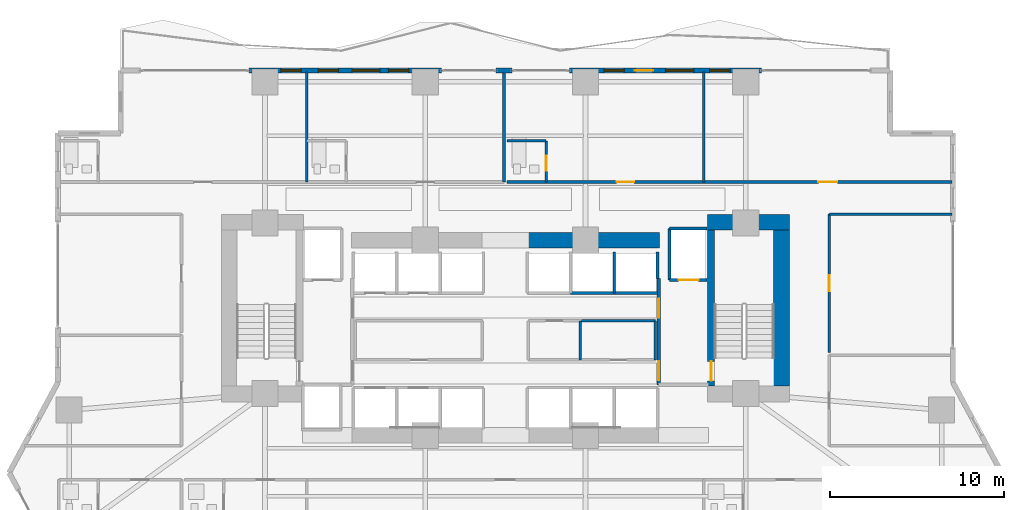
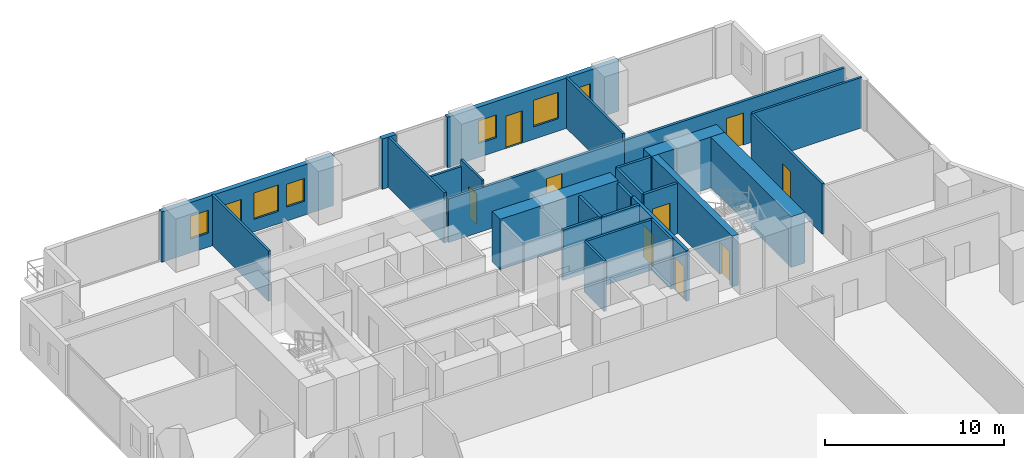
# One storey, part 22 of 28: 27 walls, 9 doors, 7 windows, 16 openings.
"""IFC4 building model written with IfcOpenShell, lengths in metres."""

from ifc_helpers import new_model, si_unit, direction, frame, frame_2d, origin, place, context, subcontext, project, spatial, rectangle, extrude, material, layer, layer_set, type_object, element, fill, save


model = new_model("IFC4")

# Units and contexts
model_context = context("Model", 3, precision=1e-05, world=origin(), true_north=direction((0.0, 1.0)))
body_context = subcontext(model_context, "Body", "Model", "MODEL_VIEW")
ifc_project = project(units=[si_unit("LENGTHUNIT", "METRE"), si_unit("AREAUNIT", "SQUARE_METRE"), si_unit("VOLUMEUNIT", "CUBIC_METRE"), si_unit("PLANEANGLEUNIT", "RADIAN"), si_unit("MASSUNIT", "GRAM", prefix="KILO")], contexts=[model_context])

# Site, building, storey
site_placement = place(None, origin())
site = spatial("IfcSite", under=ifc_project, at=site_placement, CompositionType="ELEMENT")
building_placement = place(site_placement, origin())
building = spatial("IfcBuilding", under=site, at=building_placement, Name="Zuhayl Quay Hotel", CompositionType="ELEMENT")
storey_placement = place(building_placement, frame((0.0, 0.0, 75.050048828125)))
storey = spatial("IfcBuildingStorey", under=building, at=storey_placement, Name="L18", CompositionType="ELEMENT", Elevation=75.050048828125)

# Walls
ifc_material_1 = material(Name="Concrete C70/85", Category="concrete")
ifc_layer_1 = layer(ifc_material_1, 0.89990234375, Name="Concrete C70/85", Category="concrete")
ifc_layer_set_1 = layer_set([ifc_layer_1], Name="Concrete C70/85")
wall_type_1 = type_object("IfcWallType", Name="WL_CORE_900", PredefinedType="SHEAR", material=ifc_layer_set_1)
wall_1_placement = place(storey_placement, frame((11.60009765625, 14.3798828125, 0.0), z_axis=(0.0, 0.0, 1.0), x_axis=(1.0, 0.0, 0.0)))
element("IfcWall", 1, at=wall_1_placement, inside=storey, type_object=wall_type_1, Name="L18 Core Shear Wall CW_NE", PredefinedType="SHEAR", context=body_context, shape_type="SweptSolid", body=[
    extrude(rectangle(XDim=4.7099609375, YDim=0.89990234375, at=frame_2d((2.35498046875, 0.0))), origin(), (0.0, 0.0, 1.0), 3.4599609375),
])
wall_2_placement = place(storey_placement, frame((15.860107421875, 4.969970703125, 0.0), z_axis=(0.0, 0.0, 1.0), x_axis=(0.0, 1.0, 0.0)))
element("IfcWall", 2, at=wall_2_placement, inside=storey, type_object=wall_type_1, Name="L18 Core Shear Wall CW_E", PredefinedType="SHEAR", context=body_context, shape_type="SweptSolid", body=[
    extrude(rectangle(XDim=8.9599609375, YDim=0.89990234375, at=frame_2d((4.47998046875, 0.0))), origin(), (0.0, 0.0, 1.0), 3.4599609375),
])
wall_3_placement = place(storey_placement, frame((1.25, 13.35009765625, 0.0), z_axis=(0.0, 0.0, 1.0), x_axis=(1.0, 0.0, 0.0)))
element("IfcWall", 3, at=wall_3_placement, inside=storey, type_object=wall_type_1, Name="L18 Core Shear Wall CW_NC_E", PredefinedType="SHEAR", context=body_context, shape_type="SweptSolid", body=[
    extrude(rectangle(XDim=7.60009765625, YDim=0.89990234375, at=frame_2d((3.800048828125, 0.0))), origin(), (0.0, 0.0, 1.0), 3.429931640625),
])

# Wall, openings, windows
ifc_material_2 = material(Name="Precast concrete C45/55", Category="concrete")
ifc_layer_2 = layer(ifc_material_2, 0.300048828125, Name="Precast concrete C45/55", Category="concrete")
ifc_layer_set_2 = layer_set([ifc_layer_2], Name="Precast concrete C45/55")
wall_type_2 = type_object("IfcWallType", Name="WL_EXT_300", PredefinedType="STANDARD", material=ifc_layer_set_2)
wall_4_placement = place(storey_placement, frame((-14.719970703125, 23.10009765625, 0.0), z_axis=(0.0, 0.0, 1.0), x_axis=(1.0, 0.0, 0.0)))
wall_4 = element("IfcWall", 4, at=wall_4_placement, inside=storey, type_object=wall_type_2, Name="L18 Exterior Precast Wall ENV_L18_N_EW2", PredefinedType="STANDARD", context=body_context, shape_type="SweptSolid", body=[
    extrude(rectangle(XDim=11.0400390625, YDim=0.300048828125, at=frame_2d((5.52001953125, 0.0))), origin(), (0.0, 0.0, 1.0), 3.429931640625),
])
opening_1_placement = place(wall_4_placement, frame((5.916015625, 0.0, 0.85009765625)))
opening_1 = element("IfcOpeningElement", 5, at=opening_1_placement, cuts=wall_4, Name="Opening W01", PredefinedType="OPENING", context=body_context, shape_type="SweptSolid", body=[
    extrude(rectangle(XDim=1.60009765625, YDim=1.800048828125, at=frame_2d((0.800048828125, 0.89990234375))), frame((0.0, 0.159912109375, 0.0), z_axis=(0.0, -1.0, 0.0), x_axis=(1.0, 0.0, 0.0)), (0.0, 0.0, 1.0), 0.320068359375),
])
opening_2_placement = place(wall_4_placement, frame((1.8349609375, 0.0, 0.949951171875)))
opening_2 = element("IfcOpeningElement", 6, at=opening_2_placement, cuts=wall_4, Name="Opening W01N", PredefinedType="OPENING", context=body_context, shape_type="SweptSolid", body=[
    extrude(rectangle(XDim=1.14990234375, YDim=1.550048828125, at=frame_2d((0.574951171875, 0.77490234375))), frame((0.0, 0.159912109375, 0.0), z_axis=(0.0, -1.0, 0.0), x_axis=(1.0, 0.0, 0.0)), (0.0, 0.0, 1.0), 0.320068359375),
])
opening_3_placement = place(wall_4_placement, frame((3.97802734375, 0.0, 0.949951171875)))
opening_3 = element("IfcOpeningElement", 7, at=opening_3_placement, cuts=wall_4, Name="Opening W01N", PredefinedType="OPENING", context=body_context, shape_type="SweptSolid", body=[
    extrude(rectangle(XDim=1.14990234375, YDim=1.550048828125, at=frame_2d((0.574951171875, 0.77490234375))), frame((0.0, 0.159912109375, 0.0), z_axis=(0.0, -1.0, 0.0), x_axis=(1.0, 0.0, 0.0)), (0.0, 0.0, 1.0), 0.320068359375),
])
opening_4_placement = place(wall_4_placement, frame((8.01806640625, 0.0, 0.949951171875)))
opening_4 = element("IfcOpeningElement", 8, at=opening_4_placement, cuts=wall_4, Name="Opening W01N", PredefinedType="OPENING", context=body_context, shape_type="SweptSolid", body=[
    extrude(rectangle(XDim=1.14990234375, YDim=1.550048828125, at=frame_2d((0.574951171875, 0.77490234375))), frame((0.0, 0.159912109375, 0.0), z_axis=(0.0, -1.0, 0.0), x_axis=(1.0, 0.0, 0.0)), (0.0, 0.0, 1.0), 0.320068359375),
])
ifc_material_3 = material(Name="Dark Ceramic-Fritted Solar Glass", Category="glass")
window_type_1 = type_object("IfcWindowType", Name="WN_NOTCH_1350", PartitioningType="SINGLE_PANEL", PredefinedType="WINDOW", material=ifc_material_3)
window_1_placement = place(opening_2_placement, origin())
window_1 = element("IfcWindow", 9, at=window_1_placement, inside=storey, type_object=window_type_1, Name="L18 Operable Facade Window 2-1", OverallHeight=1.550048828125, OverallWidth=1.14990234375, PartitioningType="SINGLE_PANEL", PredefinedType="WINDOW", context=body_context, shape_type="SweptSolid", body=[
    extrude(rectangle(XDim=1.14990234375, YDim=1.550048828125, at=frame_2d((0.574951171875, 0.77490234375))), frame((0.0, 0.030029296875, 0.0), z_axis=(0.0, -1.0, 0.0), x_axis=(1.0, 0.0, 0.0)), (0.0, 0.0, 1.0), 0.06005859375),
])
fill(opening_2, window_1)
window_2_placement = place(opening_3_placement, origin())
window_2 = element("IfcWindow", 10, at=window_2_placement, inside=storey, type_object=window_type_1, Name="L18 Operable Facade Window 2-2", OverallHeight=1.550048828125, OverallWidth=1.14990234375, PartitioningType="SINGLE_PANEL", PredefinedType="WINDOW", context=body_context, shape_type="SweptSolid", body=[
    extrude(rectangle(XDim=1.14990234375, YDim=1.550048828125, at=frame_2d((0.574951171875, 0.77490234375))), frame((0.0, 0.030029296875, 0.0), z_axis=(0.0, -1.0, 0.0), x_axis=(1.0, 0.0, 0.0)), (0.0, 0.0, 1.0), 0.06005859375),
])
fill(opening_3, window_2)
window_3_placement = place(opening_4_placement, origin())
window_3 = element("IfcWindow", 11, at=window_3_placement, inside=storey, type_object=window_type_1, Name="L18 Operable Facade Window 2-3", OverallHeight=1.550048828125, OverallWidth=1.14990234375, PartitioningType="SINGLE_PANEL", PredefinedType="WINDOW", context=body_context, shape_type="SweptSolid", body=[
    extrude(rectangle(XDim=1.14990234375, YDim=1.550048828125, at=frame_2d((0.574951171875, 0.77490234375))), frame((0.0, 0.030029296875, 0.0), z_axis=(0.0, -1.0, 0.0), x_axis=(1.0, 0.0, 0.0)), (0.0, 0.0, 1.0), 0.06005859375),
])
fill(opening_4, window_3)
window_type_2 = type_object("IfcWindowType", Name="WN_OPERABLE_1600", PartitioningType="DOUBLE_PANEL_VERTICAL", PredefinedType="WINDOW", material=ifc_material_3)
window_4_placement = place(opening_1_placement, origin())
window_4 = element("IfcWindow", 12, at=window_4_placement, inside=storey, type_object=window_type_2, Name="L18 North Operable Casement Window", OverallHeight=1.800048828125, OverallWidth=1.60009765625, PartitioningType="SINGLE_PANEL", PredefinedType="WINDOW", context=body_context, shape_type="SweptSolid", body=[
    extrude(rectangle(XDim=1.60009765625, YDim=1.800048828125, at=frame_2d((0.800048828125, 0.89990234375))), frame((0.0, 0.030029296875, 0.0), z_axis=(0.0, -1.0, 0.0), x_axis=(1.0, 0.0, 0.0)), (0.0, 0.0, 1.0), 0.06005859375),
])
fill(opening_1, window_4)

# Wall
wall_5_placement = place(storey_placement, frame((-0.530029296875, 23.10009765625, 0.0), z_axis=(0.0, 0.0, 1.0), x_axis=(1.0, 0.0, 0.0)))
element("IfcWall", 13, at=wall_5_placement, inside=storey, type_object=wall_type_2, Name="L18 Exterior Precast Wall ENV_L18_N_EW3", PredefinedType="STANDARD", context=body_context, shape_type="SweptSolid", body=[
    extrude(rectangle(XDim=0.900146484375, YDim=0.300048828125, at=frame_2d((0.4501953125, 0.0))), origin(), (0.0, 0.0, 1.0), 3.429931640625),
])

# Wall, openings, door, windows
wall_6_placement = place(storey_placement, frame((3.679931640625, 23.10009765625, 0.0), z_axis=(0.0, 0.0, 1.0), x_axis=(1.0, 0.0, 0.0)))
wall_6 = element("IfcWall", 14, at=wall_6_placement, inside=storey, type_object=wall_type_2, Name="L18 Exterior Precast Wall ENV_L18_N_EW4", PredefinedType="STANDARD", context=body_context, shape_type="SweptSolid", body=[
    extrude(rectangle(XDim=11.0400390625, YDim=0.300048828125, at=frame_2d((5.52001953125, 0.0))), origin(), (0.0, 0.0, 1.0), 3.429931640625),
])
opening_5_placement = place(wall_6_placement, frame((3.7509765625, 0.0, 0.0)))
opening_5 = element("IfcOpeningElement", 15, at=opening_5_placement, cuts=wall_6, Name="Opening DG1", PredefinedType="OPENING", context=body_context, shape_type="SweptSolid", body=[
    extrude(rectangle(XDim=1.050048828125, YDim=2.199951171875, at=frame_2d((0.52490234375, 1.10009765625))), frame((0.0, 0.159912109375, 0.0), z_axis=(0.0, -1.0, 0.0), x_axis=(1.0, 0.0, 0.0)), (0.0, 0.0, 1.0), 0.320068359375),
])
opening_6_placement = place(wall_6_placement, frame((1.985595703125, 0.0, 0.949951171875)))
opening_6 = element("IfcOpeningElement", 16, at=opening_6_placement, cuts=wall_6, Name="Opening W01N", PredefinedType="OPENING", context=body_context, shape_type="SweptSolid", body=[
    extrude(rectangle(XDim=1.14990234375, YDim=1.550048828125, at=frame_2d((0.574951171875, 0.77490234375))), frame((0.0, 0.159912109375, 0.0), z_axis=(0.0, -1.0, 0.0), x_axis=(1.0, 0.0, 0.0)), (0.0, 0.0, 1.0), 0.320068359375),
])
opening_7_placement = place(wall_6_placement, frame((5.525390625, 0.0, 0.85009765625)))
opening_7 = element("IfcOpeningElement", 17, at=opening_7_placement, cuts=wall_6, Name="Opening W01", PredefinedType="OPENING", context=body_context, shape_type="SweptSolid", body=[
    extrude(rectangle(XDim=1.60009765625, YDim=1.800048828125, at=frame_2d((0.800048828125, 0.89990234375))), frame((0.0, 0.159912109375, 0.0), z_axis=(0.0, -1.0, 0.0), x_axis=(1.0, 0.0, 0.0)), (0.0, 0.0, 1.0), 0.320068359375),
])
opening_8_placement = place(wall_6_placement, frame((8.054931640625, 0.0, 0.949951171875)))
opening_8 = element("IfcOpeningElement", 18, at=opening_8_placement, cuts=wall_6, Name="Opening W01N", PredefinedType="OPENING", context=body_context, shape_type="SweptSolid", body=[
    extrude(rectangle(XDim=1.14990234375, YDim=1.550048828125, at=frame_2d((0.574951171875, 0.77490234375))), frame((0.0, 0.159912109375, 0.0), z_axis=(0.0, -1.0, 0.0), x_axis=(1.0, 0.0, 0.0)), (0.0, 0.0, 1.0), 0.320068359375),
])
ifc_material_4 = material(Name="Anodised Aluminium and Dark Solar Glass", Category="aluminium")
door_type_1 = type_object("IfcDoorType", Name="DR_EXT_TERR_1050", OperationType="NOTDEFINED", PredefinedType="DOOR", material=ifc_material_4)
door_1_placement = place(opening_5_placement, origin())
door_1 = element("IfcDoor", 19, at=door_1_placement, inside=storey, type_object=door_type_1, Name="L18 North Rippling Balcony Door", OperationType="SINGLE_SWING_LEFT", OverallHeight=2.199951171875, OverallWidth=1.050048828125, PredefinedType="DOOR", context=body_context, shape_type="SweptSolid", body=[
    extrude(rectangle(XDim=1.050048828125, YDim=2.199951171875, at=frame_2d((0.52490234375, 1.10009765625))), frame((0.0, 0.02490234375, 0.0), z_axis=(0.0, -1.0, 0.0), x_axis=(1.0, 0.0, 0.0)), (0.0, 0.0, 1.0), 0.050048828125),
])
fill(opening_5, door_1)
window_5_placement = place(opening_6_placement, origin())
window_5 = element("IfcWindow", 20, at=window_5_placement, inside=storey, type_object=window_type_1, Name="L18 Operable Facade Window 4-1", OverallHeight=1.550048828125, OverallWidth=1.14990234375, PartitioningType="SINGLE_PANEL", PredefinedType="WINDOW", context=body_context, shape_type="SweptSolid", body=[
    extrude(rectangle(XDim=1.14990234375, YDim=1.550048828125, at=frame_2d((0.574951171875, 0.77490234375))), frame((0.0, 0.030029296875, 0.0), z_axis=(0.0, -1.0, 0.0), x_axis=(1.0, 0.0, 0.0)), (0.0, 0.0, 1.0), 0.06005859375),
])
fill(opening_6, window_5)
window_6_placement = place(opening_8_placement, origin())
window_6 = element("IfcWindow", 21, at=window_6_placement, inside=storey, type_object=window_type_1, Name="L18 Operable Facade Window 4-3", OverallHeight=1.550048828125, OverallWidth=1.14990234375, PartitioningType="SINGLE_PANEL", PredefinedType="WINDOW", context=body_context, shape_type="SweptSolid", body=[
    extrude(rectangle(XDim=1.14990234375, YDim=1.550048828125, at=frame_2d((0.574951171875, 0.77490234375))), frame((0.0, 0.030029296875, 0.0), z_axis=(0.0, -1.0, 0.0), x_axis=(1.0, 0.0, 0.0)), (0.0, 0.0, 1.0), 0.06005859375),
])
fill(opening_8, window_6)
window_7_placement = place(opening_7_placement, origin())
window_7 = element("IfcWindow", 22, at=window_7_placement, inside=storey, type_object=window_type_2, Name="L18 Operable Facade Window 4-2", OverallHeight=1.800048828125, OverallWidth=1.60009765625, PartitioningType="SINGLE_PANEL", PredefinedType="WINDOW", context=body_context, shape_type="SweptSolid", body=[
    extrude(rectangle(XDim=1.60009765625, YDim=1.800048828125, at=frame_2d((0.800048828125, 0.89990234375))), frame((0.0, 0.030029296875, 0.0), z_axis=(0.0, -1.0, 0.0), x_axis=(1.0, 0.0, 0.0)), (0.0, 0.0, 1.0), 0.06005859375),
])
fill(opening_7, window_7)

# Walls
ifc_material_5 = material(Name="Acoustic Gypsum Partition STC-58")
ifc_layer_3 = layer(ifc_material_5, 0.14990234375, Name="Acoustic Gypsum Partition STC-58")
ifc_layer_set_3 = layer_set([ifc_layer_3], Name="Acoustic Gypsum Partition STC-58")
wall_type_3 = type_object("IfcWallType", Name="WL_PART_150", PredefinedType="PARTITIONING", material=ifc_layer_set_3)
wall_7_placement = place(storey_placement, frame((4.31005859375, 6.47998046875, 0.0), z_axis=(0.0, 0.0, 1.0), x_axis=(0.0, 1.0, 0.0)))
element("IfcWall", 23, at=wall_7_placement, inside=storey, type_object=wall_type_3, Name="L18 Partition IW_L18_CORE_IT_E", PredefinedType="PARTITIONING", context=body_context, shape_type="SweptSolid", body=[
    extrude(rectangle(XDim=2.239990234375, YDim=0.14990234375, at=frame_2d((1.1201171875, 0.0))), origin(), (0.0, 0.0, 1.0), 3.429931640625),
])
wall_8_placement = place(storey_placement, frame((4.3701171875, 8.719970703125, 0.0), z_axis=(0.0, 0.0, 1.0), x_axis=(1.0, 0.0, 0.0)))
element("IfcWall", 24, at=wall_8_placement, inside=storey, type_object=wall_type_3, Name="L18 Partition IW_L18_CORE_LN_N", PredefinedType="PARTITIONING", context=body_context, shape_type="SweptSolid", body=[
    extrude(rectangle(XDim=4.239990234375, YDim=0.14990234375, at=frame_2d((2.1201171875, 0.0))), origin(), (0.0, 0.0, 1.0), 3.429931640625),
])
wall_9_placement = place(storey_placement, frame((8.610107421875, 6.47998046875, 0.0), z_axis=(0.0, 0.0, 1.0), x_axis=(0.0, 1.0, 0.0)))
element("IfcWall", 25, at=wall_9_placement, inside=storey, type_object=wall_type_3, Name="L18 Partition IW_L18_CORE_LN_E", PredefinedType="PARTITIONING", context=body_context, shape_type="SweptSolid", body=[
    extrude(rectangle(XDim=2.239990234375, YDim=0.14990234375, at=frame_2d((1.1201171875, 0.0))), origin(), (0.0, 0.0, 1.0), 3.429931640625),
])
for number, where, z_axis, x_axis, name in (
    (26, (-11.39990234375, 16.699951171875, 0.0), (0.0, 0.0, 1.0), (0.0, 1.0, 0.0), "L18 Partition IW_L18_NU01_E"),
    (27, (-0.080078125, 16.699951171875, 0.0), (0.0, 0.0, 1.0), (0.0, 1.0, 0.0), "L18 Partition IW_L18_NU02A_E"),
    (28, (11.39990234375, 16.699951171875, 0.0), (0.0, 0.0, 1.0), (0.0, 1.0, 0.0), "L18 Partition IW_L18_NU02B_E"),
):
    element("IfcWall", number, at=place(storey_placement, frame(where, z_axis=z_axis, x_axis=x_axis)), inside=storey, type_object=wall_type_3, Name=name, PredefinedType="PARTITIONING", context=body_context, shape_type="SweptSolid", body=[
        extrude(rectangle(XDim=6.320068359375, YDim=0.14990234375, at=frame_2d((3.16015625, 0.0))), origin(), (0.0, 0.0, 1.0), 3.429931640625),
    ])
wall_10_placement = place(storey_placement, frame((18.60009765625, 14.85009765625, 0.0), z_axis=(0.0, 0.0, 1.0), x_axis=(1.0, 0.0, 0.0)))
element("IfcWall", 29, at=wall_10_placement, inside=storey, type_object=wall_type_3, Name="L18 Partition IW_L18_EFLK_2_N", PredefinedType="PARTITIONING", context=body_context, shape_type="SweptSolid", body=[
    extrude(rectangle(XDim=7.039794921875, YDim=0.14990234375, at=frame_2d((3.52001953125, 0.0))), origin(), (0.0, 0.0, 1.0), 3.429931640625),
])

# Wall, opening, door
ifc_layer_4 = layer(ifc_material_5, 0.159912109375, Name="Acoustic Gypsum Partition STC-58")
ifc_layer_set_4 = layer_set([ifc_layer_4], Name="Acoustic Gypsum Partition STC-58")
wall_type_4 = type_object("IfcWallType", Name="WL_PART_CORR_160", PredefinedType="PARTITIONING", material=ifc_layer_set_4)
wall_11_placement = place(storey_placement, frame((0.080078125, 16.699951171875, 0.0), z_axis=(0.0, 0.0, 1.0), x_axis=(1.0, 0.0, 0.0)))
wall_11 = element("IfcWall", 30, at=wall_11_placement, inside=storey, type_object=wall_type_4, Name="L18 Partition IW_L18_NU02B_COR", PredefinedType="PARTITIONING", context=body_context, shape_type="SweptSolid", body=[
    extrude(rectangle(XDim=11.31982421875, YDim=0.159912109375, at=frame_2d((5.659912109375, 0.0))), origin(), (0.0, 0.0, 1.0), 2.972900390625),
])
opening_9_placement = place(wall_11_placement, frame((6.31005859375, 0.0, 0.0)))
opening_9 = element("IfcOpeningElement", 31, at=opening_9_placement, cuts=wall_11, Name="Opening D03L", PredefinedType="OPENING", context=body_context, shape_type="SweptSolid", body=[
    extrude(rectangle(XDim=1.0, YDim=2.14990234375, at=frame_2d((0.5, 1.074951171875))), frame((0.0, 0.08984375, 0.0), z_axis=(0.0, -1.0, 0.0), x_axis=(1.0, 0.0, 0.0)), (0.0, 0.0, 1.0), 0.179931640625),
])
ifc_material_6 = material(Name="Solid Walnut Acoustic Fire Door")
door_type_2 = type_object("IfcDoorType", Name="DR_SUITE_1000", OperationType="NOTDEFINED", PredefinedType="DOOR", material=ifc_material_6)
door_2_placement = place(opening_9_placement, origin())
door_2 = element("IfcDoor", 32, at=door_2_placement, inside=storey, type_object=door_type_2, Name="L18 Deluxe Gulf Guest Room L18-02B Entrance Door", OperationType="SINGLE_SWING_LEFT", OverallHeight=2.14990234375, OverallWidth=1.0, PredefinedType="DOOR", context=body_context, shape_type="SweptSolid", body=[
    extrude(rectangle(XDim=1.0, YDim=2.14990234375, at=frame_2d((0.5, 1.074951171875))), frame((0.0, 0.02490234375, 0.0), z_axis=(0.0, -1.0, 0.0), x_axis=(1.0, 0.0, 0.0)), (0.0, 0.0, 1.0), 0.050048828125),
])
fill(opening_9, door_2)

wall_12_placement = place(storey_placement, frame((11.39990234375, 16.699951171875, 0.0), z_axis=(0.0, 0.0, 1.0), x_axis=(1.0, 0.0, 0.0)))
wall_12 = element("IfcWall", 33, at=wall_12_placement, inside=storey, type_object=wall_type_4, Name="L18 Partition IW_L18_NSAL_2_S", PredefinedType="PARTITIONING", context=body_context, shape_type="SweptSolid", body=[
    extrude(rectangle(XDim=14.239990234375, YDim=0.159912109375, at=frame_2d((7.1201171875, 0.0))), origin(), (0.0, 0.0, 1.0), 2.972900390625),
])
opening_10_placement = place(wall_12_placement, frame((6.580078125, 0.0, 0.0)))
opening_10 = element("IfcOpeningElement", 34, at=opening_10_placement, cuts=wall_12, Name="Opening D05A", PredefinedType="OPENING", context=body_context, shape_type="SweptSolid", body=[
    extrude(rectangle(XDim=1.080078125, YDim=2.179931640625, at=frame_2d((0.5400390625, 1.08984375))), frame((0.0, 0.08984375, 0.0), z_axis=(0.0, -1.0, 0.0), x_axis=(1.0, 0.0, 0.0)), (0.0, 0.0, 1.0), 0.179931640625),
])
door_type_3 = type_object("IfcDoorType", Name="DR_INT_1100", OperationType="NOTDEFINED", PredefinedType="DOOR", material=ifc_material_6)
door_3_placement = place(opening_10_placement, origin())
door_3 = element("IfcDoor", 35, at=door_3_placement, inside=storey, type_object=door_type_3, Name="L18 Terrace Tea Salon Door", OperationType="SINGLE_SWING_RIGHT", OverallHeight=2.179931640625, OverallWidth=1.080078125, PredefinedType="DOOR", context=body_context, shape_type="SweptSolid", body=[
    extrude(rectangle(XDim=1.080078125, YDim=2.179931640625, at=frame_2d((0.5400390625, 1.08984375))), frame((0.0, 0.02490234375, 0.0), z_axis=(0.0, -1.0, 0.0), x_axis=(1.0, 0.0, 0.0)), (0.0, 0.0, 1.0), 0.050048828125),
])
fill(opening_10, door_3)

wall_13_placement = place(storey_placement, frame((18.60009765625, 6.909912109375, 0.0), z_axis=(0.0, 0.0, 1.0), x_axis=(0.0, 1.0, 0.0)))
wall_13 = element("IfcWall", 36, at=wall_13_placement, inside=storey, type_object=wall_type_4, Name="L18 Partition IW_L18_EFLK_2_W", PredefinedType="PARTITIONING", context=body_context, shape_type="SweptSolid", body=[
    extrude(rectangle(XDim=7.940185546875, YDim=0.159912109375, at=frame_2d((3.97021484375, 0.0))), origin(), (0.0, 0.0, 1.0), 3.429931640625),
])
opening_11_placement = place(wall_13_placement, frame((3.510009765625, 0.0, 0.0)))
opening_11 = element("IfcOpeningElement", 37, at=opening_11_placement, cuts=wall_13, Name="Opening D05", PredefinedType="OPENING", context=body_context, shape_type="SweptSolid", body=[
    extrude(rectangle(XDim=0.919921875, YDim=2.1201171875, at=frame_2d((0.4599609375, 1.06005859375))), frame((0.0, 0.08984375, 0.0), z_axis=(0.0, -1.0, 0.0), x_axis=(1.0, 0.0, 0.0)), (0.0, 0.0, 1.0), 0.179931640625),
])
door_type_4 = type_object("IfcDoorType", Name="DR_INT_950", OperationType="NOTDEFINED", PredefinedType="DOOR", material=ifc_material_6)
door_4_placement = place(opening_11_placement, origin())
door_4 = element("IfcDoor", 38, at=door_4_placement, inside=storey, type_object=door_type_4, Name="L18 East Prow Reading Lounge L18 Door", OperationType="SINGLE_SWING_LEFT", OverallHeight=2.1201171875, OverallWidth=0.919921875, PredefinedType="DOOR", context=body_context, shape_type="SweptSolid", body=[
    extrude(rectangle(XDim=0.919921875, YDim=2.1201171875, at=frame_2d((0.4599609375, 1.06005859375))), frame((0.0, 0.02490234375, 0.0), z_axis=(0.0, -1.0, 0.0), x_axis=(1.0, 0.0, 0.0)), (0.0, 0.0, 1.0), 0.050048828125),
])
fill(opening_11, door_4)

ifc_material_7 = material(Name="Moisture-Resistant Sanitarychase Gypsum")
ifc_layer_5 = layer(ifc_material_7, 0.135009765625, Name="Moisture-Resistant Sanitarychase Gypsum")
ifc_layer_set_5 = layer_set([ifc_layer_5], Name="Moisture-Resistant Sanitarychase Gypsum")
wall_type_5 = type_object("IfcWallType", Name="WL_PART_PLUMB_150", PredefinedType="PLUMBINGWALL", material=ifc_layer_set_5)
wall_14_placement = place(storey_placement, frame((2.340087890625, 16.699951171875, 0.0), z_axis=(0.0, 0.0, 1.0), x_axis=(0.0, 1.0, 0.0)))
wall_14 = element("IfcWall", 39, at=wall_14_placement, inside=storey, type_object=wall_type_5, Name="L18 Partition IW_L18_NU02B_BE", PredefinedType="PLUMBINGWALL", context=body_context, shape_type="SweptSolid", body=[
    extrude(rectangle(XDim=2.360107421875, YDim=0.135009765625, at=frame_2d((1.18017578125, 0.0))), origin(), (0.0, 0.0, 1.0), 3.429931640625),
])
opening_12_placement = place(wall_14_placement, frame((0.64990234375, 0.0, 0.0)))
opening_12 = element("IfcOpeningElement", 40, at=opening_12_placement, cuts=wall_14, Name="Opening D04", PredefinedType="OPENING", context=body_context, shape_type="SweptSolid", body=[
    extrude(rectangle(XDim=0.85009765625, YDim=2.10009765625, at=frame_2d((0.425048828125, 1.050048828125))), frame((0.0, 0.077392578125, 0.0), z_axis=(0.0, -1.0, 0.0), x_axis=(1.0, 0.0, 0.0)), (0.0, 0.0, 1.0), 0.155029296875),
])
ifc_material_8 = material(Name="Moisture-Resistant Walnut Veneer")
door_type_5 = type_object("IfcDoorType", Name="DR_BATH_850", OperationType="NOTDEFINED", PredefinedType="DOOR", material=ifc_material_8)
door_5_placement = place(opening_12_placement, origin())
door_5 = element("IfcDoor", 41, at=door_5_placement, inside=storey, type_object=door_type_5, Name="L18 Deluxe Gulf Guest Room L18-02B En-Suite Door", OperationType="SINGLE_SWING_RIGHT", OverallHeight=2.10009765625, OverallWidth=0.85009765625, PredefinedType="DOOR", context=body_context, shape_type="SweptSolid", body=[
    extrude(rectangle(XDim=0.85009765625, YDim=2.10009765625, at=frame_2d((0.425048828125, 1.050048828125))), frame((0.0, 0.02490234375, 0.0), z_axis=(0.0, -1.0, 0.0), x_axis=(1.0, 0.0, 0.0)), (0.0, 0.0, 1.0), 0.050048828125),
])
fill(opening_12, door_5)

# Wall
wall_15_placement = place(storey_placement, frame((0.080078125, 19.06005859375, 0.0), z_axis=(0.0, 0.0, 1.0), x_axis=(1.0, 0.0, 0.0)))
element("IfcWall", 42, at=wall_15_placement, inside=storey, type_object=wall_type_5, Name="L18 Partition IW_L18_NU02B_BN", PredefinedType="PLUMBINGWALL", context=body_context, shape_type="SweptSolid", body=[
    extrude(rectangle(XDim=2.260009765625, YDim=0.135009765625, at=frame_2d((1.1298828125, 0.0))), origin(), (0.0, 0.0, 1.0), 2.972900390625),
])

# Wall, opening, door
ifc_material_9 = material(Name="Gypsum Fireboard Assembly EI-90")
ifc_layer_6 = layer(ifc_material_9, 0.1650390625, Name="Gypsum Fireboard Assembly EI-90")
ifc_layer_set_6 = layer_set([ifc_layer_6], Name="Gypsum Fireboard Assembly EI-90")
wall_type_6 = type_object("IfcWallType", Name="WL_PART_SHAFT_160", PredefinedType="PARTITIONING", material=ifc_layer_set_6)
wall_16_placement = place(storey_placement, frame((9.419921875, 11.070068359375, 0.0), z_axis=(0.0, 0.0, 1.0), x_axis=(1.0, 0.0, 0.0)))
wall_16 = element("IfcWall", 43, at=wall_16_placement, inside=storey, type_object=wall_type_6, Name="L18 Partition IW_L18_SH_FL2_F", PredefinedType="PARTITIONING", context=body_context, shape_type="SweptSolid", body=[
    extrude(rectangle(XDim=2.16015625, YDim=0.1650390625, at=frame_2d((1.080078125, 0.0))), origin(), (0.0, 0.0, 1.0), 3.429931640625),
])
opening_13_placement = place(wall_16_placement, frame((0.530029296875, 0.0, 0.0)))
opening_13 = element("IfcOpeningElement", 44, at=opening_13_placement, cuts=wall_16, Name="Opening LD2", PredefinedType="OPENING", context=body_context, shape_type="SweptSolid", body=[
    extrude(rectangle(XDim=1.14990234375, YDim=2.25, at=frame_2d((0.574951171875, 1.125))), frame((0.0, 0.092529296875, 0.0), z_axis=(0.0, -1.0, 0.0), x_axis=(1.0, 0.0, 0.0)), (0.0, 0.0, 1.0), 0.18505859375),
])
ifc_material_10 = material(Name="Brushed Stainless Steel", Category="steel")
door_type_6 = type_object("IfcDoorType", Name="DR_LIFT_FF_1100", OperationType="SLIDING_TO_LEFT", PredefinedType="DOOR", material=ifc_material_10)
door_6_placement = place(opening_13_placement, origin())
door_6 = element("IfcDoor", 45, at=door_6_placement, inside=storey, type_object=door_type_6, Name="L18 Lift FL2 Sliding Landing Door", OperationType="SLIDING_TO_LEFT", OverallHeight=2.25, OverallWidth=1.14990234375, PredefinedType="DOOR", context=body_context, shape_type="SweptSolid", body=[
    extrude(rectangle(XDim=1.14990234375, YDim=2.25, at=frame_2d((0.574951171875, 1.125))), frame((0.0, 0.02490234375, 0.0), z_axis=(0.0, -1.0, 0.0), x_axis=(1.0, 0.0, 0.0)), (0.0, 0.0, 1.0), 0.050048828125),
])
fill(opening_13, door_6)

# Walls
wall_17_placement = place(storey_placement, frame((9.419921875, 11.070068359375, 0.0), z_axis=(0.0, 0.0, 1.0), x_axis=(0.0, 1.0, 0.0)))
element("IfcWall", 46, at=wall_17_placement, inside=storey, type_object=wall_type_6, Name="L18 Partition IW_L18_SH_FL2_W", PredefinedType="PARTITIONING", context=body_context, shape_type="SweptSolid", body=[
    extrude(rectangle(XDim=2.9599609375, YDim=0.1650390625, at=frame_2d((1.47998046875, 0.0))), origin(), (0.0, 0.0, 1.0), 3.429931640625),
])
wall_18_placement = place(storey_placement, frame((9.419921875, 14.030029296875, 0.0), z_axis=(0.0, 0.0, 1.0), x_axis=(1.0, 0.0, 0.0)))
element("IfcWall", 47, at=wall_18_placement, inside=storey, type_object=wall_type_6, Name="L18 Partition IW_L18_SH_FL2_B", PredefinedType="PARTITIONING", context=body_context, shape_type="SweptSolid", body=[
    extrude(rectangle(XDim=2.16015625, YDim=0.1650390625, at=frame_2d((1.080078125, 0.0))), origin(), (0.0, 0.0, 1.0), 3.429931640625),
])
wall_19_placement = place(storey_placement, frame((3.75, 10.320068359375, 0.0), z_axis=(0.0, 0.0, 1.0), x_axis=(1.0, 0.0, 0.0)))
element("IfcWall", 48, at=wall_19_placement, inside=storey, type_object=wall_type_6, Name="L18 Partition IW_L18_SH_HP3_F", PredefinedType="PARTITIONING", context=body_context, shape_type="SweptSolid", body=[
    extrude(rectangle(XDim=2.5, YDim=0.1650390625, at=frame_2d((1.25, 0.0))), origin(), (0.0, 0.0, 1.0), 3.429931640625),
])
wall_20_placement = place(storey_placement, frame((6.25, 10.320068359375, 0.0), z_axis=(0.0, 0.0, 1.0), x_axis=(0.0, 1.0, 0.0)))
element("IfcWall", 49, at=wall_20_placement, inside=storey, type_object=wall_type_6, Name="L18 Partition IW_L18_SH_HP3_E", PredefinedType="PARTITIONING", context=body_context, shape_type="SweptSolid", body=[
    extrude(rectangle(XDim=2.35986328125, YDim=0.1650390625, at=frame_2d((1.179931640625, 0.0))), origin(), (0.0, 0.0, 1.0), 3.429931640625),
])
wall_21_placement = place(storey_placement, frame((6.25, 10.320068359375, 0.0), z_axis=(0.0, 0.0, 1.0), x_axis=(1.0, 0.0, 0.0)))
element("IfcWall", 50, at=wall_21_placement, inside=storey, type_object=wall_type_6, Name="L18 Partition IW_L18_SH_HP4_F", PredefinedType="PARTITIONING", context=body_context, shape_type="SweptSolid", body=[
    extrude(rectangle(XDim=2.47998046875, YDim=0.1650390625, at=frame_2d((1.239990234375, 0.0))), origin(), (0.0, 0.0, 1.0), 3.429931640625),
])
wall_22_placement = place(storey_placement, frame((8.72998046875, 11.14990234375, 0.0), z_axis=(0.0, 0.0, 1.0), x_axis=(0.0, 1.0, 0.0)))
element("IfcWall", 51, at=wall_22_placement, inside=storey, type_object=wall_type_6, Name="L18 Partition IW_L18_SH_HP4_E", PredefinedType="PARTITIONING", context=body_context, shape_type="SweptSolid", body=[
    extrude(rectangle(XDim=1.530029296875, YDim=0.1650390625, at=frame_2d((0.76513671875, 0.0))), origin(), (0.0, 0.0, 1.0), 3.429931640625),
])

# Wall, openings, doors
ifc_material_11 = material(Name="Gypsum Fireboard Assembly EI-120")
ifc_layer_7 = layer(ifc_material_11, 0.199951171875, Name="Gypsum Fireboard Assembly EI-120")
ifc_layer_set_7 = layer_set([ifc_layer_7], Name="Gypsum Fireboard Assembly EI-120")
wall_type_7 = type_object("IfcWallType", Name="WL_PART_SHAFT_200", PredefinedType="PARTITIONING", material=ifc_layer_set_7)
wall_23_placement = place(storey_placement, frame((8.800048828125, 11.14990234375, 0.0), z_axis=(0.0, 0.0, 1.0), x_axis=(0.0, -1.0, 0.0)))
wall_23 = element("IfcWall", 52, at=wall_23_placement, inside=storey, type_object=wall_type_7, Name="L18 Partition IW_L18_FSAE_E_W", PredefinedType="PARTITIONING", context=body_context, shape_type="SweptSolid", body=[
    extrude(rectangle(XDim=6.099853515625, YDim=0.199951171875, at=frame_2d((3.0498046875, 0.0))), origin(), (0.0, 0.0, 1.0), 3.429931640625),
])
opening_14_placement = place(wall_23_placement, frame((1.14990234375, 0.0, 0.0)))
opening_14 = element("IfcOpeningElement", 53, at=opening_14_placement, cuts=wall_23, Name="Opening D02", PredefinedType="OPENING", context=body_context, shape_type="SweptSolid", body=[
    extrude(rectangle(XDim=1.10009765625, YDim=2.199951171875, at=frame_2d((0.550048828125, 1.10009765625))), frame((0.0, 0.10986328125, 0.0), z_axis=(0.0, -1.0, 0.0), x_axis=(1.0, 0.0, 0.0)), (0.0, 0.0, 1.0), 0.219970703125),
])
opening_15_placement = place(wall_23_placement, frame((4.75, 0.0, 0.0)))
opening_15 = element("IfcOpeningElement", 54, at=opening_15_placement, cuts=wall_23, Name="Opening D02", PredefinedType="OPENING", context=body_context, shape_type="SweptSolid", body=[
    extrude(rectangle(XDim=1.10009765625, YDim=2.199951171875, at=frame_2d((0.550048828125, 1.10009765625))), frame((0.0, 0.10986328125, 0.0), z_axis=(0.0, -1.0, 0.0), x_axis=(1.0, 0.0, 0.0)), (0.0, 0.0, 1.0), 0.219970703125),
])
ifc_material_12 = material(Name="Steel ASTM A992 Grade 50", Category="steel")
door_type_7 = type_object("IfcDoorType", Name="DR_FIRE_90_1100", OperationType="NOTDEFINED", PredefinedType="DOOR", material=ifc_material_12)
door_7_placement = place(opening_14_placement, origin())
door_7 = element("IfcDoor", 55, at=door_7_placement, inside=storey, type_object=door_type_7, Name="L18 FSAE Lobby East North Entry Door", OperationType="SINGLE_SWING_LEFT", OverallHeight=2.199951171875, OverallWidth=1.10009765625, PredefinedType="DOOR", context=body_context, shape_type="SweptSolid", body=[
    extrude(rectangle(XDim=1.10009765625, YDim=2.199951171875, at=frame_2d((0.550048828125, 1.10009765625))), frame((0.0, 0.02490234375, 0.0), z_axis=(0.0, -1.0, 0.0), x_axis=(1.0, 0.0, 0.0)), (0.0, 0.0, 1.0), 0.050048828125),
])
fill(opening_14, door_7)
door_8_placement = place(opening_15_placement, origin())
door_8 = element("IfcDoor", 56, at=door_8_placement, inside=storey, type_object=door_type_7, Name="L18 FSAE Lobby East South Entry Door", OperationType="SINGLE_SWING_RIGHT", OverallHeight=2.199951171875, OverallWidth=1.10009765625, PredefinedType="DOOR", context=body_context, shape_type="SweptSolid", body=[
    extrude(rectangle(XDim=1.10009765625, YDim=2.199951171875, at=frame_2d((0.550048828125, 1.10009765625))), frame((0.0, 0.02490234375, 0.0), z_axis=(0.0, -1.0, 0.0), x_axis=(1.0, 0.0, 0.0)), (0.0, 0.0, 1.0), 0.050048828125),
])
fill(opening_15, door_8)

# Wall, opening, door
ifc_material_13 = material(Name="Concrete C60/75", Category="concrete")
ifc_layer_8 = layer(ifc_material_13, 0.39990234375, Name="Concrete C60/75", Category="concrete")
ifc_layer_set_8 = layer_set([ifc_layer_8], Name="Concrete C60/75")
wall_type_8 = type_object("IfcWallType", Name="WL_STAIR_400", PredefinedType="SHEAR", material=ifc_layer_set_8)
wall_24_placement = place(storey_placement, frame((11.820068359375, 13.929931640625, 0.0), z_axis=(0.0, 0.0, 1.0), x_axis=(0.0, -1.0, 0.0)))
wall_24 = element("IfcWall", 57, at=wall_24_placement, inside=storey, type_object=wall_type_8, Name="L18 Core Shear Wall SW_ST2", PredefinedType="SHEAR", context=body_context, shape_type="SweptSolid", body=[
    extrude(rectangle(XDim=8.9599609375, YDim=0.39990234375, at=frame_2d((4.47998046875, 0.0))), origin(), (0.0, 0.0, 1.0), 3.4599609375),
])
opening_16_placement = place(wall_24_placement, frame((7.530029296875, 0.0, 0.0)))
opening_16 = element("IfcOpeningElement", 58, at=opening_16_placement, cuts=wall_24, Name="Opening D01", PredefinedType="OPENING", context=body_context, shape_type="SweptSolid", body=[
    extrude(rectangle(XDim=1.1201171875, YDim=2.219970703125, at=frame_2d((0.56005859375, 1.10986328125))), frame((0.0, 0.2099609375, 0.0), z_axis=(0.0, -1.0, 0.0), x_axis=(1.0, 0.0, 0.0)), (0.0, 0.0, 1.0), 0.419921875),
])
door_type_8 = type_object("IfcDoorType", Name="DR_STAIR_90_1100", OperationType="NOTDEFINED", PredefinedType="DOOR", material=ifc_material_12)
door_9_placement = place(opening_16_placement, origin())
door_9 = element("IfcDoor", 59, at=door_9_placement, inside=storey, type_object=door_type_8, Name="L18 Smokeproof Exit Stair ST2 Door", OperationType="SINGLE_SWING_RIGHT", OverallHeight=2.219970703125, OverallWidth=1.1201171875, PredefinedType="DOOR", context=body_context, shape_type="SweptSolid", body=[
    extrude(rectangle(XDim=1.1201171875, YDim=2.219970703125, at=frame_2d((0.56005859375, 1.10986328125))), frame((0.0, 0.02490234375, 0.0), z_axis=(0.0, -1.0, 0.0), x_axis=(1.0, 0.0, 0.0)), (0.0, 0.0, 1.0), 0.050048828125),
])
fill(opening_16, door_9)

save(model, "model.ifc")
